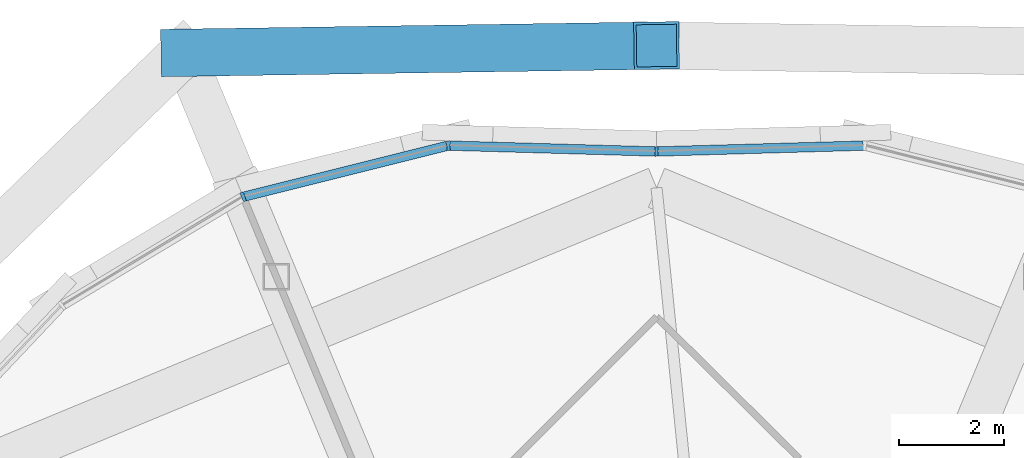
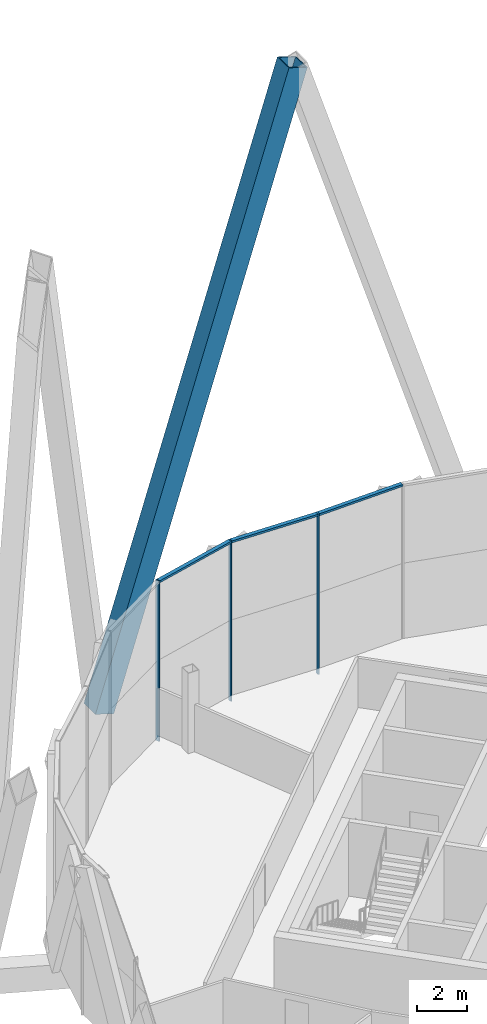
# One storey, part 35 of 53: 7 members, 2 elements without a shape of their own.
"""IFC4 building model written with IfcOpenShell, lengths in metres."""

from ifc_helpers import new_model, si_unit, direction, frame, origin, origin_2d, place, context, subcontext, project, spatial, rectangle, hollow_rectangle, extrude, material, material_profile, profile_set, type_object, element, aggregate, save


model = new_model("IFC4")

# Units and contexts
model_context = context("Model", 3, precision=1e-05, world=origin(), true_north=direction((0.0, 1.0)))
body_context = subcontext(model_context, "Body", "Model", "MODEL_VIEW")
ifc_project = project(units=[si_unit("LENGTHUNIT", "METRE"), si_unit("AREAUNIT", "SQUARE_METRE"), si_unit("VOLUMEUNIT", "CUBIC_METRE"), si_unit("PLANEANGLEUNIT", "RADIAN"), si_unit("MASSUNIT", "GRAM", prefix="KILO")], contexts=[model_context])

# Site, building, storey
site_placement = place(None, origin())
site = spatial("IfcSite", under=ifc_project, at=site_placement, CompositionType="ELEMENT")
building_placement = place(site_placement, origin())
building = spatial("IfcBuilding", under=site, at=building_placement, Name="Ogive Gate Towers", CompositionType="ELEMENT")
storey_placement = place(building_placement, frame((0.0, 0.0, 240.60009765625)))
storey = spatial("IfcBuildingStorey", under=building, at=storey_placement, Name="L57", CompositionType="ELEMENT", Elevation=240.60009765625)

# Member
ifc_material_1 = material(Name="Steel SM460", Category="steel")
ifc_material_profile_1 = material_profile(ifc_material_1, hollow_rectangle(XDim=0.89990234375, YDim=0.89990234375, WallThickness=0.050048828125, at=origin_2d()), Name="BX 900x900x50")
ifc_profile_set_1 = profile_set([ifc_material_profile_1], Name="Steel SM460")
member_type_1 = type_object("IfcMemberType", Name="Diagrid diagonal BX 900x900x50", PredefinedType="BRACE", material=ifc_profile_set_1)
member_1_placement = place(storey_placement, frame((27.022216796875, 21.67431640625, 0.0), z_axis=(0.303356073086, 0.00458667981, 0.952866231582), x_axis=(-0.015118061019, 0.999885715585, 0.0)))
element("IfcMember", 1, at=member_1_placement, inside=storey, type_object=member_type_1, Name="T2/L57/SDG005", PredefinedType="BRACE", context=body_context, shape_type="SweptSolid", body=[
    extrude(hollow_rectangle(XDim=0.89990234375, YDim=0.89990234375, WallThickness=0.050048828125, at=origin_2d()), origin(), (0.0, 0.0, 1.0), 29.594970703125),
])

# Curtain wall, member
ifc_material_2 = material(Name="Pale metal aluminium", Category="aluminium")
curtain_wall_type = type_object("IfcCurtainWallType", Name="Tower unitised wall, high zone", PredefinedType="NOTDEFINED", material=ifc_material_2)
curtain_wall_1_placement = place(storey_placement, origin())
curtain_wall_1 = element("IfcCurtainWall", 2, at=curtain_wall_1_placement, inside=storey, type_object=curtain_wall_type, Name="CW2 T2 ECW02", PredefinedType="NOTDEFINED")
ifc_material_profile_2 = material_profile(ifc_material_2, rectangle(XDim=0.179931640625, YDim=0.06005859375, at=origin_2d()), Name="60 x 180 aluminium box")
ifc_profile_set_2 = profile_set([ifc_material_profile_2], Name="Pale metal aluminium")
member_type_2 = type_object("IfcMemberType", Name="Tower unitised wall, high zone mullion 60 x 180", PredefinedType="MULLION", material=ifc_profile_set_2)
member_2_placement = place(storey_placement, frame((36.000244140625, 19.800048828125, -0.300048828125), z_axis=(0.0, 0.0, 1.0), x_axis=(-0.028322905681, 0.999598826037, 0.0)))
member_2 = element("IfcMember", 3, at=member_2_placement, type_object=member_type_2, Name="CW2 mullion", PredefinedType="MULLION", context=body_context, shape_type="SweptSolid", body=[
    extrude(rectangle(XDim=0.179931640625, YDim=0.06005859375, at=origin_2d()), origin(), (0.0, 0.0, 1.0), 7.800048828125),
])

# Curtain wall, members
curtain_wall_2_placement = place(storey_placement, origin())
curtain_wall_2 = element("IfcCurtainWall", 4, at=curtain_wall_2_placement, inside=storey, type_object=curtain_wall_type, Name="CW2 T2 ECW03", PredefinedType="NOTDEFINED")
member_3_placement = place(storey_placement, frame((32.04736328125, 19.912109375, -0.300048828125), z_axis=(0.0, 0.0, 1.0), x_axis=(-0.107912599257, 0.994160384909, 0.0)))
member_3 = element("IfcMember", 5, at=member_3_placement, type_object=member_type_2, Name="CW2 mullion", PredefinedType="MULLION", context=body_context, shape_type="SweptSolid", body=[
    extrude(rectangle(XDim=0.179931640625, YDim=0.06005859375, at=origin_2d()), origin(), (0.0, 0.0, 1.0), 7.800048828125),
])
member_4_placement = place(storey_placement, frame((28.154541015625, 18.940673828125, -0.300048828125), z_axis=(0.0, 0.0, 1.0), x_axis=(-0.382683432365, 0.923879532511, 0.0)))
member_4 = element("IfcMember", 6, at=member_4_placement, type_object=member_type_2, Name="CW2 mullion", PredefinedType="MULLION", context=body_context, shape_type="SweptSolid", body=[
    extrude(rectangle(XDim=0.179931640625, YDim=0.06005859375, at=origin_2d()), origin(), (0.0, 0.0, 1.0), 7.800048828125),
])

# Member
ifc_material_profile_3 = material_profile(ifc_material_2, rectangle(XDim=0.179931640625, YDim=0.10009765625, at=origin_2d()), Name="100 x 180 aluminium box")
ifc_profile_set_3 = profile_set([ifc_material_profile_3], Name="Pale metal aluminium")
member_type_3 = type_object("IfcMemberType", Name="Tower unitised wall, high zone transom 100 x 180", PredefinedType="USERDEFINED", material=ifc_profile_set_3)
member_5_placement = place(storey_placement, frame((39.924072265625, 19.9111328125, 7.449951171875), z_axis=(-0.999598654458, -0.02832896055, 0.0), x_axis=(0.02832896055, -0.999598654458, 0.0)))
member_5 = element("IfcMember", 7, at=member_5_placement, type_object=member_type_3, Name="CW2 transom", ObjectType="TRANSOM", PredefinedType="USERDEFINED", context=body_context, shape_type="SweptSolid", body=[
    extrude(rectangle(XDim=0.179931640625, YDim=0.10009765625, at=origin_2d()), origin(), (0.0, 0.0, 1.0), 3.895263671875),
])

aggregate(curtain_wall_1, [member_2, member_5])

member_6_placement = place(storey_placement, frame((35.9697265625, 19.80078125, 7.449951171875), z_axis=(-0.999598654458, 0.02832896055, 0.0), x_axis=(-0.02832896055, -0.999598654458, 0.0)))
member_6 = element("IfcMember", 8, at=member_6_placement, type_object=member_type_3, Name="CW2 transom", ObjectType="TRANSOM", PredefinedType="USERDEFINED", context=body_context, shape_type="SweptSolid", body=[
    extrude(rectangle(XDim=0.179931640625, YDim=0.10009765625, at=origin_2d()), origin(), (0.0, 0.0, 1.0), 3.895263671875),
])

member_7_placement = place(storey_placement, frame((32.01953125, 19.905029296875, 7.449951171875), z_axis=(-0.970251335251, -0.24209986874, 0.0), x_axis=(0.24209986874, -0.970251335251, 0.0)))
member_7 = element("IfcMember", 9, at=member_7_placement, type_object=member_type_3, Name="CW2 transom", ObjectType="TRANSOM", PredefinedType="USERDEFINED", context=body_context, shape_type="SweptSolid", body=[
    extrude(rectangle(XDim=0.179931640625, YDim=0.10009765625, at=origin_2d()), origin(), (0.0, 0.0, 1.0), 3.955078125),
])

aggregate(curtain_wall_2, [member_3, member_6, member_4, member_7])

save(model, "model.ifc")
